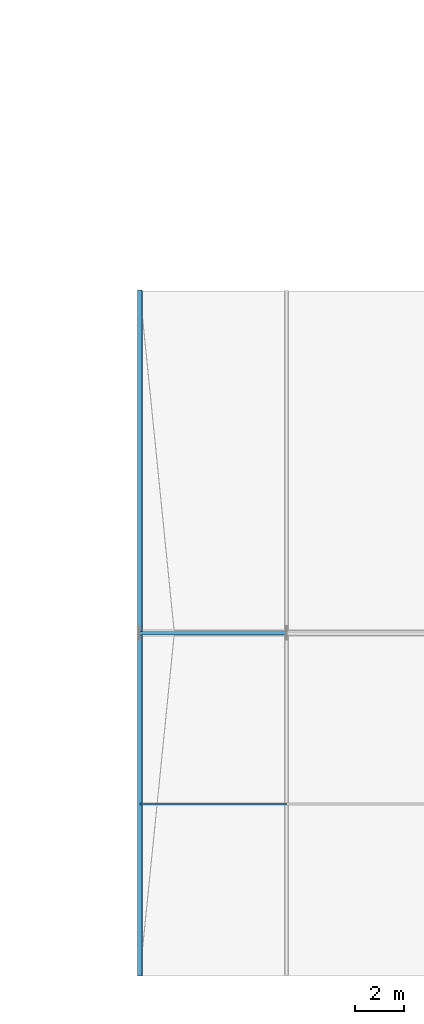
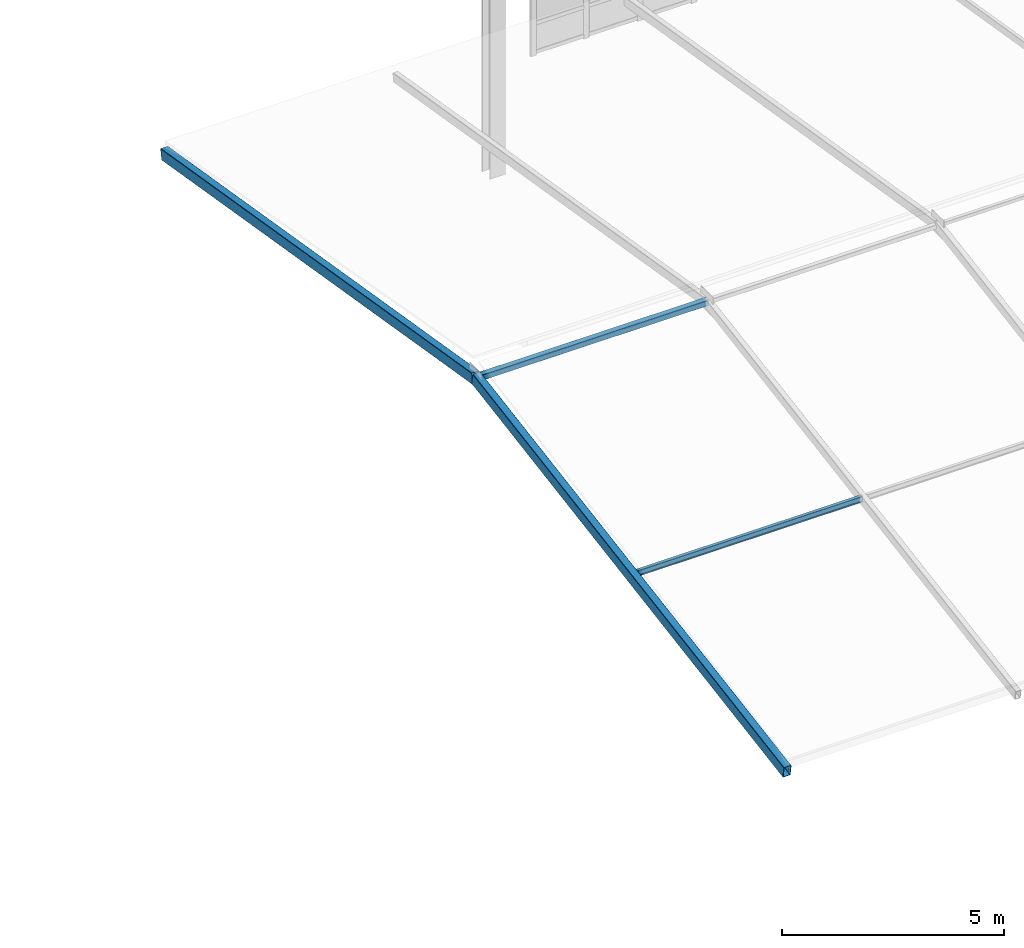
# One storey, part 78 of 262: 4 members.
"""IFC4 building model written with IfcOpenShell, lengths in metres."""

from ifc_helpers import new_model, si_unit, derived_unit, direction, frame, origin, origin_2d, place, context, subcontext, project, spatial, hollow_rectangle, i_section, extrude, material, material_profile, profile_set, type_object, element, save


model = new_model("IFC4")

# Units and contexts
model_context = context("Model", 3, precision=1e-05, world=origin(), true_north=direction((0.0, 1.0)))
body_context = subcontext(model_context, "Body", "Model", "MODEL_VIEW")
ifc_project = project(units=[si_unit("LENGTHUNIT", "METRE"), si_unit("AREAUNIT", "SQUARE_METRE"), si_unit("VOLUMEUNIT", "CUBIC_METRE"), si_unit("PLANEANGLEUNIT", "RADIAN"), si_unit("MASSUNIT", "GRAM", prefix="KILO"), derived_unit("THERMALTRANSMITTANCEUNIT", [(si_unit("POWERUNIT", "WATT"), 1), (si_unit("LENGTHUNIT", "METRE"), -2), (si_unit("THERMODYNAMICTEMPERATUREUNIT", "KELVIN"), -1)])], contexts=[model_context])

# Site, building, storey
site_placement = place(None, origin())
site = spatial("IfcSite", under=ifc_project, at=site_placement, CompositionType="ELEMENT")
building_placement = place(site_placement, origin())
building = spatial("IfcBuilding", under=site, at=building_placement, Name="Almenara Railside Exhibition Hall", CompositionType="ELEMENT")
storey_placement = place(building_placement, frame((0.0, 0.0, 21.699951171875)))
storey = spatial("IfcBuildingStorey", under=building, at=storey_placement, Name="RF", CompositionType="ELEMENT", Elevation=21.699951171875)

# Members
ifc_material = material(Name="Structural steel S355JR", Category="steel")
ifc_material_profile_1 = material_profile(ifc_material, hollow_rectangle(XDim=0.199951171875, YDim=0.300048828125, WallThickness=0.010009765625, InnerFilletRadius=0.010009765625, OuterFilletRadius=0.02001953125, at=origin_2d()), Name="RHS 300x200x10")
ifc_profile_set_1 = profile_set([ifc_material_profile_1], Name="Structural steel S355JR")
member_type_1 = type_object("IfcMemberType", Name="Cordova Primary Hip Rafter RHS 300x200x10 S355JR", PredefinedType="RAFTER", material=ifc_profile_set_1)
for number, where, z_axis, x_axis, name in (
    (1, (126.0, 0.0, -1.219970703125), (0.0, 0.986545085566, 0.163489431294), (-1.0, 0.0, 0.0), "MEM-V5R-S-126"),
    (2, (126.0, 28.0, -1.219970703125), (0.0, -0.986545085566, 0.163489431294), (1.0, 0.0, 0.0), "MEM-V5R-N-126"),
):
    element("IfcMember", number, at=place(storey_placement, frame(where, z_axis=z_axis, x_axis=x_axis)), inside=storey, type_object=member_type_1, Name=name, PredefinedType="RAFTER", context=body_context, shape_type="SweptSolid", body=[
        extrude(hollow_rectangle(XDim=0.199951171875, YDim=0.300048828125, WallThickness=0.010009765625, InnerFilletRadius=0.010009765625, OuterFilletRadius=0.02001953125, at=origin_2d()), origin(), (0.0, 0.0, 1.0), 14.19091796875),
    ])
ifc_material_profile_2 = material_profile(ifc_material, i_section(OverallWidth=0.08203125, OverallDepth=0.159912109375, WebThickness=0.0048828125, FlangeThickness=0.00732421875, FilletRadius=0.009033203125, at=origin_2d()), Name="IPE 160")
ifc_profile_set_2 = profile_set([ifc_material_profile_2], Name="Structural steel S355JR")
member_type_2 = type_object("IfcMemberType", Name="Cordova Wing Roof Purlin IPE 160 S355JR", PredefinedType="PURLIN", material=ifc_profile_set_2)
member_1_placement = place(storey_placement, frame((126.0, 7.0, -0.06005859375), z_axis=(1.0, 0.0, 0.0), x_axis=(0.0, 1.0, 0.0)))
element("IfcMember", 3, at=member_1_placement, inside=storey, type_object=member_type_2, Name="MEM-V5P-126", PredefinedType="PURLIN", context=body_context, shape_type="SweptSolid", body=[
    extrude(i_section(OverallWidth=0.08203125, OverallDepth=0.159912109375, WebThickness=0.0048828125, FlangeThickness=0.00732421875, FilletRadius=0.009033203125, at=origin_2d()), origin(), (0.0, 0.0, 1.0), 6.0),
])
ifc_material_profile_3 = material_profile(ifc_material, hollow_rectangle(XDim=0.14990234375, YDim=0.14990234375, WallThickness=0.006103515625, InnerFilletRadius=0.006103515625, OuterFilletRadius=0.011962890625, at=origin_2d()), Name="SHS 150x150x6")
ifc_profile_set_3 = profile_set([ifc_material_profile_3], Name="Structural steel S355JR")
member_type_3 = type_object("IfcMemberType", Name="Gable Sway Brace SHS 150x150x6 S355JR", PredefinedType="BRACE", material=ifc_profile_set_3)
member_2_placement = place(storey_placement, frame((126.0, 14.0, 1.10009765625), z_axis=(1.0, 0.0, 0.0), x_axis=(0.0, 1.0, 0.0)))
element("IfcMember", 4, at=member_2_placement, inside=storey, type_object=member_type_3, Name="MEM-V5B-126", PredefinedType="BRACE", context=body_context, shape_type="SweptSolid", body=[
    extrude(hollow_rectangle(XDim=0.14990234375, YDim=0.14990234375, WallThickness=0.006103515625, InnerFilletRadius=0.006103515625, OuterFilletRadius=0.011962890625, at=origin_2d()), origin(), (0.0, 0.0, 1.0), 6.0),
])

save(model, "model.ifc")
